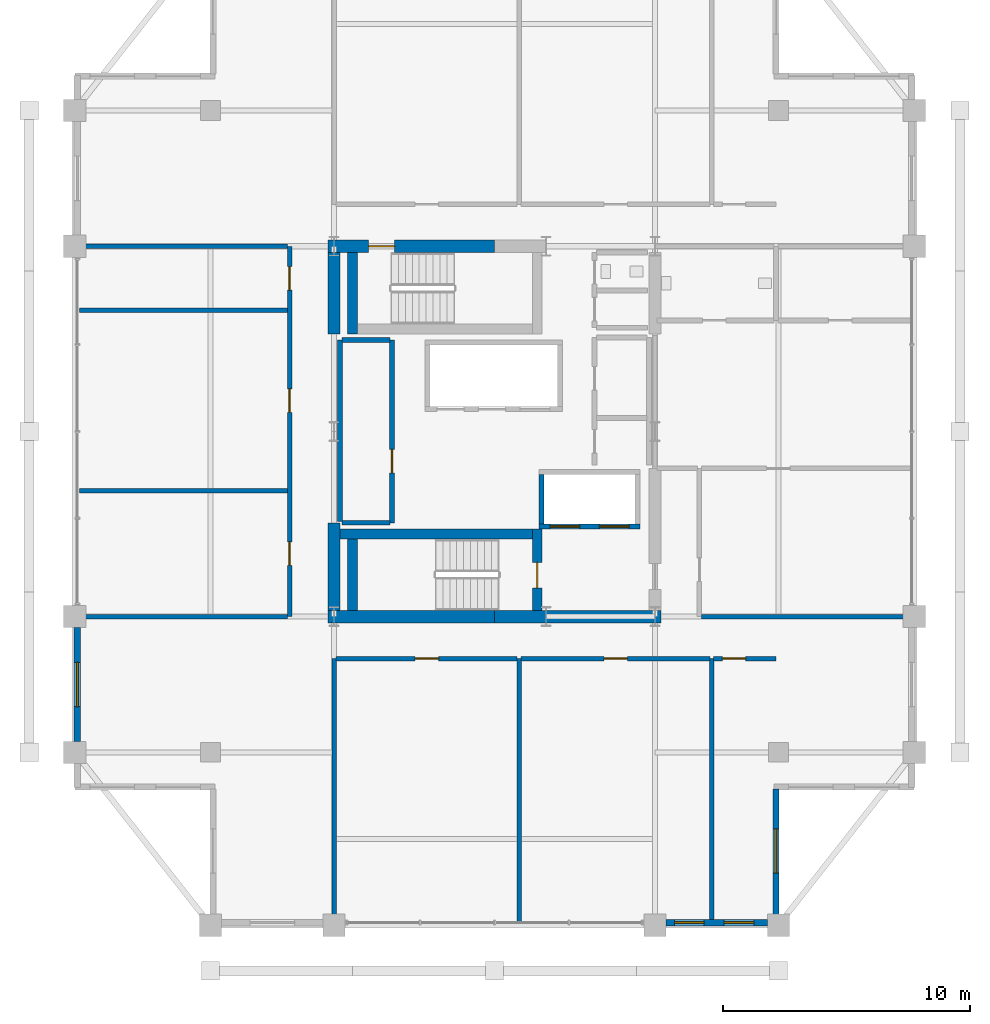
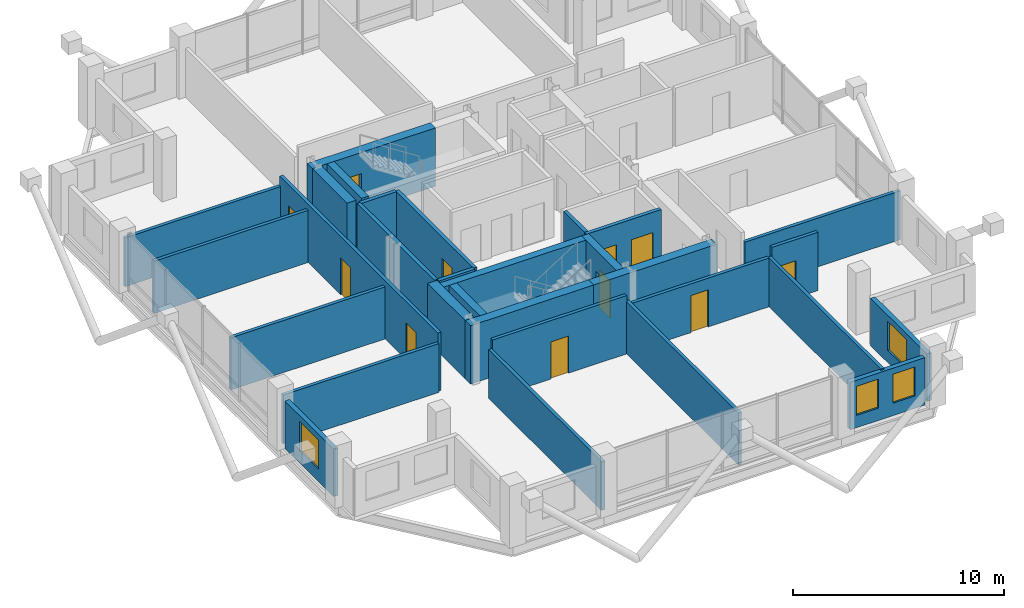
# One storey, part 18 of 22: 30 walls, 11 doors, 4 windows, 15 openings.
"""IFC4 building model written with IfcOpenShell, lengths in metres."""

from ifc_helpers import new_model, si_unit, direction, frame, frame_2d, origin, place, context, subcontext, project, spatial, rectangle, extrude, material, layer, layer_set, type_object, element, fill, save


model = new_model("IFC4")

# Units and contexts
model_context = context("Model", 3, precision=1e-05, world=origin(), true_north=direction((0.0, 1.0)))
body_context = subcontext(model_context, "Body", "Model", "MODEL_VIEW")
ifc_project = project(units=[si_unit("LENGTHUNIT", "METRE"), si_unit("AREAUNIT", "SQUARE_METRE"), si_unit("VOLUMEUNIT", "CUBIC_METRE"), si_unit("PLANEANGLEUNIT", "RADIAN"), si_unit("MASSUNIT", "GRAM", prefix="KILO")], contexts=[model_context])

# Site, building, storey
site_placement = place(None, origin())
site = spatial("IfcSite", under=ifc_project, at=site_placement, CompositionType="ELEMENT")
building_placement = place(site_placement, origin())
building = spatial("IfcBuilding", under=site, at=building_placement, Name="Barlavira Tower and Art Museum", CompositionType="ELEMENT")
storey_placement = place(building_placement, frame((0.0, 0.0, 269.10009765625)))
storey = spatial("IfcBuildingStorey", under=building, at=storey_placement, Name="L70", CompositionType="ELEMENT", Elevation=269.10009765625)

# Walls
ifc_material_1 = material(Name="Concrete C60", Category="concrete")
ifc_layer_1 = layer(ifc_material_1, 0.5, Name="Concrete C60")
ifc_layer_set_1 = layer_set([ifc_layer_1], Name="Concrete C60")
wall_type_1 = type_object("IfcWallType", Name="Core Structural Shear Wall 500 Concrete C60", PredefinedType="SHEAR", material=ifc_layer_set_1)
for number, where, z_axis, x_axis, name in (
    (1, (-6.75, -7.5, 0.0), (0.0, 0.0, 1.0), (1.0, 0.0, 0.0), "L70 Core Shear Wall CS-SW"),
    (2, (0.0, -7.5, 0.0), (0.0, 0.0, 1.0), (1.0, 0.0, 0.0), "L70 Core Shear Wall CS-SE"),
):
    element("IfcWall", number, at=place(storey_placement, frame(where, z_axis=z_axis, x_axis=x_axis)), inside=storey, type_object=wall_type_1, Name=name, PredefinedType="SHEAR", context=body_context, shape_type="SweptSolid", body=[
        extrude(rectangle(XDim=6.75, YDim=0.5, at=frame_2d((3.375, 0.0))), origin(), (0.0, 0.0, 1.0), 3.3798828125),
    ])

# Wall, opening, door
wall_1_placement = place(storey_placement, frame((-6.75, 7.5, 0.0), z_axis=(0.0, 0.0, 1.0), x_axis=(1.0, 0.0, 0.0)))
wall_1 = element("IfcWall", 3, at=wall_1_placement, inside=storey, type_object=wall_type_1, Name="L70 Core Shear Wall CS-NW", PredefinedType="SHEAR", context=body_context, shape_type="SweptSolid", body=[
    extrude(rectangle(XDim=6.75, YDim=0.5, at=frame_2d((3.375, 0.0))), origin(), (0.0, 0.0, 1.0), 3.3798828125),
])
opening_1_placement = place(wall_1_placement, frame((1.64990234375, 0.0, 0.0)))
opening_1 = element("IfcOpeningElement", 4, at=opening_1_placement, cuts=wall_1, Name="Opening FD-90", PredefinedType="OPENING", context=body_context, shape_type="SweptSolid", body=[
    extrude(rectangle(XDim=1.050048828125, YDim=2.14990234375, at=frame_2d((0.52490234375, 1.074951171875))), frame((0.0, 0.260009765625, 0.0), z_axis=(0.0, -1.0, 0.0), x_axis=(1.0, 0.0, 0.0)), (0.0, 0.0, 1.0), 0.52001953125),
])
ifc_material_2 = material(Name="Brushed stainless steel", Category="steel")
door_type_1 = type_object("IfcDoorType", Name="Stair and Refuge Fire Door 1050x2150 FD90S", OperationType="NOTDEFINED", PredefinedType="DOOR", material=ifc_material_2)
door_1_placement = place(opening_1_placement, origin())
door_1 = element("IfcDoor", 5, at=door_1_placement, inside=storey, type_object=door_type_1, Name="L70 Stair ST-T2 Fire Door", OperationType="SINGLE_SWING_LEFT", OverallHeight=2.14990234375, OverallWidth=1.050048828125, PredefinedType="DOOR", context=body_context, shape_type="SweptSolid", body=[
    extrude(rectangle(XDim=1.050048828125, YDim=2.14990234375, at=frame_2d((0.52490234375, 1.074951171875))), frame((0.0, 0.02490234375, 0.0), z_axis=(0.0, -1.0, 0.0), x_axis=(1.0, 0.0, 0.0)), (0.0, 0.0, 1.0), 0.050048828125),
])
fill(opening_1, door_1)

# Walls
wall_2_placement = place(storey_placement, frame((-6.5, -7.25, 0.0), z_axis=(0.0, 0.0, 1.0), x_axis=(0.0, 1.0, 0.0)))
element("IfcWall", 6, at=wall_2_placement, inside=storey, type_object=wall_type_1, Name="L70 Core Shear Wall CS-W1", PredefinedType="SHEAR", context=body_context, shape_type="SweptSolid", body=[
    extrude(rectangle(XDim=3.550048828125, YDim=0.5, at=frame_2d((1.77490234375, 0.0))), origin(), (0.0, 0.0, 1.0), 3.3798828125),
])
wall_3_placement = place(storey_placement, frame((-6.5, 3.949951171875, 0.0), z_axis=(0.0, 0.0, 1.0), x_axis=(0.0, 1.0, 0.0)))
element("IfcWall", 7, at=wall_3_placement, inside=storey, type_object=wall_type_1, Name="L70 Core Shear Wall CS-W2", PredefinedType="SHEAR", context=body_context, shape_type="SweptSolid", body=[
    extrude(rectangle(XDim=3.300048828125, YDim=0.5, at=frame_2d((1.64990234375, 0.0))), origin(), (0.0, 0.0, 1.0), 3.3798828125),
])

# Wall, openings, doors
ifc_material_3 = material(Name="Autoclaved aerated concrete masonry", Category="masonry")
ifc_layer_2 = layer(ifc_material_3, 0.199951171875, Name="Autoclaved aerated concrete masonry")
ifc_layer_set_2 = layer_set([ifc_layer_2], Name="Autoclaved aerated concrete masonry")
wall_type_2 = type_object("IfcWallType", Name="Fire Compartment and Shaft Wall 200", PredefinedType="SOLIDWALL", material=ifc_layer_set_2)
wall_4_placement = place(storey_placement, frame((1.800048828125, -3.85009765625, 0.0), z_axis=(0.0, 0.0, 1.0), x_axis=(1.0, 0.0, 0.0)))
wall_4 = element("IfcWall", 8, at=wall_4_placement, inside=storey, type_object=wall_type_2, Name="L70 Firefighting Lift Front Shaft Wall", PredefinedType="SOLIDWALL", context=body_context, shape_type="SweptSolid", body=[
    extrude(rectangle(XDim=4.099853515625, YDim=0.199951171875, at=frame_2d((2.0498046875, 0.0))), origin(), (0.0, 0.0, 1.0), 3.3798828125),
])
opening_2_placement = place(wall_4_placement, frame((0.449951171875, 0.0, 0.0)))
opening_2 = element("IfcOpeningElement", 9, at=opening_2_placement, cuts=wall_4, Name="Opening LD-F", PredefinedType="OPENING", context=body_context, shape_type="SweptSolid", body=[
    extrude(rectangle(XDim=1.199951171875, YDim=2.199951171875, at=frame_2d((0.60009765625, 1.10009765625))), frame((0.0, 0.10986328125, 0.0), z_axis=(0.0, -1.0, 0.0), x_axis=(1.0, 0.0, 0.0)), (0.0, 0.0, 1.0), 0.219970703125),
])
opening_3_placement = place(wall_4_placement, frame((2.449951171875, 0.0, 0.0)))
opening_3 = element("IfcOpeningElement", 10, at=opening_3_placement, cuts=wall_4, Name="Opening LD-F", PredefinedType="OPENING", context=body_context, shape_type="SweptSolid", body=[
    extrude(rectangle(XDim=1.199951171875, YDim=2.199951171875, at=frame_2d((0.60009765625, 1.10009765625))), frame((0.0, 0.10986328125, 0.0), z_axis=(0.0, -1.0, 0.0), x_axis=(1.0, 0.0, 0.0)), (0.0, 0.0, 1.0), 0.219970703125),
])
door_type_2 = type_object("IfcDoorType", Name="Firefighting and Service Lift Sliding Door 1200x2200 FD120", OperationType="NOTDEFINED", PredefinedType="DOOR", material=ifc_material_2)
door_2_placement = place(opening_2_placement, origin())
door_2 = element("IfcDoor", 11, at=door_2_placement, inside=storey, type_object=door_type_2, Name="L70 Firefighting Lift FF1 Sliding Door", OperationType="DOUBLE_DOOR_SLIDING", OverallHeight=2.199951171875, OverallWidth=1.199951171875, PredefinedType="DOOR", context=body_context, shape_type="SweptSolid", body=[
    extrude(rectangle(XDim=1.199951171875, YDim=2.199951171875, at=frame_2d((0.60009765625, 1.10009765625))), frame((0.0, 0.02490234375, 0.0), z_axis=(0.0, -1.0, 0.0), x_axis=(1.0, 0.0, 0.0)), (0.0, 0.0, 1.0), 0.050048828125),
])
fill(opening_2, door_2)
door_3_placement = place(opening_3_placement, origin())
door_3 = element("IfcDoor", 12, at=door_3_placement, inside=storey, type_object=door_type_2, Name="L70 Firefighting Lift FF2 Sliding Door", OperationType="DOUBLE_DOOR_SLIDING", OverallHeight=2.199951171875, OverallWidth=1.199951171875, PredefinedType="DOOR", context=body_context, shape_type="SweptSolid", body=[
    extrude(rectangle(XDim=1.199951171875, YDim=2.199951171875, at=frame_2d((0.60009765625, 1.10009765625))), frame((0.0, 0.02490234375, 0.0), z_axis=(0.0, -1.0, 0.0), x_axis=(1.0, 0.0, 0.0)), (0.0, 0.0, 1.0), 0.050048828125),
])
fill(opening_3, door_3)

# Walls
wall_5_placement = place(storey_placement, frame((1.89990234375, -3.75, 0.0), z_axis=(0.0, 0.0, 1.0), x_axis=(0.0, 1.0, 0.0)))
element("IfcWall", 13, at=wall_5_placement, inside=storey, type_object=wall_type_2, Name="L70 Firefighting Lift West Shaft Wall", PredefinedType="SOLIDWALL", context=body_context, shape_type="SweptSolid", body=[
    extrude(rectangle(XDim=2.0, YDim=0.199951171875, at=frame_2d((1.0, 0.0))), origin(), (0.0, 0.0, 1.0), 3.3798828125),
])
wall_6_placement = place(storey_placement, frame((-6.25, -3.639892578125, 0.0), z_axis=(0.0, 0.0, 1.0), x_axis=(0.0, 1.0, 0.0)))
element("IfcWall", 14, at=wall_6_placement, inside=storey, type_object=wall_type_2, Name="L70 Partition Wall 4", PredefinedType="SOLIDWALL", context=body_context, shape_type="SweptSolid", body=[
    extrude(rectangle(XDim=7.33984375, YDim=0.199951171875, at=frame_2d((3.669921875, 0.0))), origin(), (0.0, 0.0, 1.0), 3.3798828125),
])

# Wall, opening, door
wall_7_placement = place(storey_placement, frame((-4.14990234375, -3.699951171875, 0.0), z_axis=(0.0, 0.0, 1.0), x_axis=(0.0, 1.0, 0.0)))
wall_7 = element("IfcWall", 15, at=wall_7_placement, inside=storey, type_object=wall_type_2, Name="L70 Partition Wall 5", PredefinedType="SOLIDWALL", context=body_context, shape_type="SweptSolid", body=[
    extrude(rectangle(XDim=7.39990234375, YDim=0.199951171875, at=frame_2d((3.699951171875, 0.0))), origin(), (0.0, 0.0, 1.0), 3.3798828125),
])
opening_4_placement = place(wall_7_placement, frame((2.02490234375, 0.0, 0.0)))
opening_4 = element("IfcOpeningElement", 16, at=opening_4_placement, cuts=wall_7, Name="Opening FD-60", PredefinedType="OPENING", context=body_context, shape_type="SweptSolid", body=[
    extrude(rectangle(XDim=0.949951171875, YDim=2.14990234375, at=frame_2d((0.47509765625, 1.074951171875))), frame((0.0, 0.10986328125, 0.0), z_axis=(0.0, -1.0, 0.0), x_axis=(1.0, 0.0, 0.0)), (0.0, 0.0, 1.0), 0.219970703125),
])
door_type_3 = type_object("IfcDoorType", Name="Apartment Entrance and Riser Fire Door 950x2150 FD60S", OperationType="NOTDEFINED", PredefinedType="DOOR", material=ifc_material_2)
door_4_placement = place(opening_4_placement, origin())
door_4 = element("IfcDoor", 17, at=door_4_placement, inside=storey, type_object=door_type_3, Name="Reclaimed Core Tenant Storage Vault Door", OperationType="SINGLE_SWING_RIGHT", OverallHeight=2.14990234375, OverallWidth=0.949951171875, PredefinedType="DOOR", context=body_context, shape_type="SweptSolid", body=[
    extrude(rectangle(XDim=0.949951171875, YDim=2.14990234375, at=frame_2d((0.47509765625, 1.074951171875))), frame((0.0, 0.02490234375, 0.0), z_axis=(0.0, -1.0, 0.0), x_axis=(1.0, 0.0, 0.0)), (0.0, 0.0, 1.0), 0.050048828125),
])
fill(opening_4, door_4)

# Walls
for number, where, z_axis, x_axis, name in (
    (18, (-6.169921875, -3.699951171875, 0.0), (0.0, 0.0, 1.0), (1.0, 0.0, 0.0), "L70 Partition Wall 21"),
    (19, (-6.169921875, 3.699951171875, 0.0), (0.0, 0.0, 1.0), (1.0, 0.0, 0.0), "L70 Partition Wall 26"),
):
    element("IfcWall", number, at=place(storey_placement, frame(where, z_axis=z_axis, x_axis=x_axis)), inside=storey, type_object=wall_type_2, Name=name, PredefinedType="SOLIDWALL", context=body_context, shape_type="SweptSolid", body=[
        extrude(rectangle(XDim=1.93994140625, YDim=0.199951171875, at=frame_2d((0.969970703125, 0.0))), origin(), (0.0, 0.0, 1.0), 3.3798828125),
    ])

# Wall, openings, doors
ifc_material_4 = material(Name="Gypsum acoustic stud partition", Category="gypsum")
ifc_layer_3 = layer(ifc_material_4, 0.179931640625, Name="Gypsum acoustic stud partition")
ifc_layer_set_3 = layer_set([ifc_layer_3], Name="Gypsum acoustic stud partition")
wall_type_3 = type_object("IfcWallType", Name="Inter-Tenancy Party Partition Wall 180", PredefinedType="PARTITIONING", material=ifc_layer_set_3)
wall_8_placement = place(storey_placement, frame((-8.300048828125, -7.5, 0.0), z_axis=(0.0, 0.0, 1.0), x_axis=(0.0, 1.0, 0.0)))
wall_8 = element("IfcWall", 20, at=wall_8_placement, inside=storey, type_object=wall_type_3, Name="L70 Partition Wall 1", PredefinedType="PARTITIONING", context=body_context, shape_type="SweptSolid", body=[
    extrude(rectangle(XDim=15.0, YDim=0.179931640625, at=frame_2d((7.5, 0.0))), origin(), (0.0, 0.0, 1.0), 3.3798828125),
])
opening_5_placement = place(wall_8_placement, frame((2.074951171875, 0.0, 0.0)))
opening_5 = element("IfcOpeningElement", 21, at=opening_5_placement, cuts=wall_8, Name="Opening FD-60", PredefinedType="OPENING", context=body_context, shape_type="SweptSolid", body=[
    extrude(rectangle(XDim=0.949951171875, YDim=2.14990234375, at=frame_2d((0.47509765625, 1.074951171875))), frame((0.0, 0.10009765625, 0.0), z_axis=(0.0, -1.0, 0.0), x_axis=(1.0, 0.0, 0.0)), (0.0, 0.0, 1.0), 0.199951171875),
])
opening_6_placement = place(wall_8_placement, frame((8.27490234375, 0.0, 0.0)))
opening_6 = element("IfcOpeningElement", 22, at=opening_6_placement, cuts=wall_8, Name="Opening FD-60", PredefinedType="OPENING", context=body_context, shape_type="SweptSolid", body=[
    extrude(rectangle(XDim=0.949951171875, YDim=2.14990234375, at=frame_2d((0.47509765625, 1.074951171875))), frame((0.0, 0.10009765625, 0.0), z_axis=(0.0, -1.0, 0.0), x_axis=(1.0, 0.0, 0.0)), (0.0, 0.0, 1.0), 0.199951171875),
])
opening_7_placement = place(wall_8_placement, frame((13.22509765625, 0.0, 0.0)))
opening_7 = element("IfcOpeningElement", 23, at=opening_7_placement, cuts=wall_8, Name="Opening FD-60", PredefinedType="OPENING", context=body_context, shape_type="SweptSolid", body=[
    extrude(rectangle(XDim=0.949951171875, YDim=2.14990234375, at=frame_2d((0.47509765625, 1.074951171875))), frame((0.0, 0.10009765625, 0.0), z_axis=(0.0, -1.0, 0.0), x_axis=(1.0, 0.0, 0.0)), (0.0, 0.0, 1.0), 0.199951171875),
])
door_5_placement = place(opening_5_placement, origin())
door_5 = element("IfcDoor", 24, at=door_5_placement, inside=storey, type_object=door_type_3, Name="Resident Sky Coworking Studio Door", OperationType="SINGLE_SWING_LEFT", OverallHeight=2.14990234375, OverallWidth=0.949951171875, PredefinedType="DOOR", context=body_context, shape_type="SweptSolid", body=[
    extrude(rectangle(XDim=0.949951171875, YDim=2.14990234375, at=frame_2d((0.47509765625, 1.074951171875))), frame((0.0, 0.02490234375, 0.0), z_axis=(0.0, -1.0, 0.0), x_axis=(1.0, 0.0, 0.0)), (0.0, 0.0, 1.0), 0.050048828125),
])
fill(opening_5, door_5)
door_6_placement = place(opening_6_placement, origin())
door_6 = element("IfcDoor", 25, at=door_6_placement, inside=storey, type_object=door_type_3, Name="Atlantic Horizon Boardroom Door", OperationType="SINGLE_SWING_RIGHT", OverallHeight=2.14990234375, OverallWidth=0.949951171875, PredefinedType="DOOR", context=body_context, shape_type="SweptSolid", body=[
    extrude(rectangle(XDim=0.949951171875, YDim=2.14990234375, at=frame_2d((0.47509765625, 1.074951171875))), frame((0.0, 0.02490234375, 0.0), z_axis=(0.0, -1.0, 0.0), x_axis=(1.0, 0.0, 0.0)), (0.0, 0.0, 1.0), 0.050048828125),
])
fill(opening_6, door_6)
door_7_placement = place(opening_7_placement, origin())
door_7 = element("IfcDoor", 26, at=door_7_placement, inside=storey, type_object=door_type_3, Name="Shared Coworking Espresso Pantry Door", OperationType="SINGLE_SWING_LEFT", OverallHeight=2.14990234375, OverallWidth=0.949951171875, PredefinedType="DOOR", context=body_context, shape_type="SweptSolid", body=[
    extrude(rectangle(XDim=0.949951171875, YDim=2.14990234375, at=frame_2d((0.47509765625, 1.074951171875))), frame((0.0, 0.02490234375, 0.0), z_axis=(0.0, -1.0, 0.0), x_axis=(1.0, 0.0, 0.0)), (0.0, 0.0, 1.0), 0.050048828125),
])
fill(opening_7, door_7)

# Walls
wall_9_placement = place(storey_placement, frame((-6.5, -19.89990234375, 0.0), z_axis=(0.0, 0.0, 1.0), x_axis=(0.0, 1.0, 0.0)))
element("IfcWall", 27, at=wall_9_placement, inside=storey, type_object=wall_type_3, Name="L70 Partition Wall 2", PredefinedType="PARTITIONING", context=body_context, shape_type="SweptSolid", body=[
    extrude(rectangle(XDim=10.699951171875, YDim=0.179931640625, at=frame_2d((5.35009765625, 0.0))), origin(), (0.0, 0.0, 1.0), 2.825927734375),
])
wall_10_placement = place(storey_placement, frame((1.0, -19.89990234375, 0.0), z_axis=(0.0, 0.0, 1.0), x_axis=(0.0, 1.0, 0.0)))
element("IfcWall", 28, at=wall_10_placement, inside=storey, type_object=wall_type_3, Name="L70 Partition Wall 6", PredefinedType="PARTITIONING", context=body_context, shape_type="SweptSolid", body=[
    extrude(rectangle(XDim=10.699951171875, YDim=0.179931640625, at=frame_2d((5.35009765625, 0.0))), origin(), (0.0, 0.0, 1.0), 3.017822265625),
])
wall_11_placement = place(storey_placement, frame((8.800048828125, -19.89990234375, 0.0), z_axis=(0.0, 0.0, 1.0), x_axis=(0.0, 1.0, 0.0)))
element("IfcWall", 29, at=wall_11_placement, inside=storey, type_object=wall_type_3, Name="L70 Partition Wall 13", PredefinedType="PARTITIONING", context=body_context, shape_type="SweptSolid", body=[
    extrude(rectangle(XDim=10.699951171875, YDim=0.179931640625, at=frame_2d((5.35009765625, 0.0))), origin(), (0.0, 0.0, 1.0), 2.825927734375),
])

# Wall, opening, door
wall_12_placement = place(storey_placement, frame((-6.419921875, -9.199951171875, 0.0), z_axis=(0.0, 0.0, 1.0), x_axis=(1.0, 0.0, 0.0)))
wall_12 = element("IfcWall", 30, at=wall_12_placement, inside=storey, type_object=wall_type_3, Name="L70 Partition Wall 16", PredefinedType="PARTITIONING", context=body_context, shape_type="SweptSolid", body=[
    extrude(rectangle(XDim=7.33984375, YDim=0.179931640625, at=frame_2d((3.669921875, 0.0))), origin(), (0.0, 0.0, 1.0), 3.3798828125),
])
opening_8_placement = place(wall_12_placement, frame((3.205078125, 0.0, 0.0)))
opening_8 = element("IfcOpeningElement", 31, at=opening_8_placement, cuts=wall_12, Name="Opening FD-60", PredefinedType="OPENING", context=body_context, shape_type="SweptSolid", body=[
    extrude(rectangle(XDim=0.949951171875, YDim=2.14990234375, at=frame_2d((0.47509765625, 1.074951171875))), frame((0.0, 0.10009765625, 0.0), z_axis=(0.0, -1.0, 0.0), x_axis=(1.0, 0.0, 0.0)), (0.0, 0.0, 1.0), 0.199951171875),
])
door_8_placement = place(opening_8_placement, origin())
door_8 = element("IfcDoor", 32, at=door_8_placement, inside=storey, type_object=door_type_3, Name="Resident Rare-Book Reading Room Door", OperationType="SINGLE_SWING_LEFT", OverallHeight=2.14990234375, OverallWidth=0.949951171875, PredefinedType="DOOR", context=body_context, shape_type="SweptSolid", body=[
    extrude(rectangle(XDim=0.949951171875, YDim=2.14990234375, at=frame_2d((0.47509765625, 1.074951171875))), frame((0.0, 0.02490234375, 0.0), z_axis=(0.0, -1.0, 0.0), x_axis=(1.0, 0.0, 0.0)), (0.0, 0.0, 1.0), 0.050048828125),
])
fill(opening_8, door_8)

wall_13_placement = place(storey_placement, frame((1.080078125, -9.199951171875, 0.0), z_axis=(0.0, 0.0, 1.0), x_axis=(1.0, 0.0, 0.0)))
wall_13 = element("IfcWall", 33, at=wall_13_placement, inside=storey, type_object=wall_type_3, Name="L70 Partition Wall 17", PredefinedType="PARTITIONING", context=body_context, shape_type="SweptSolid", body=[
    extrude(rectangle(XDim=7.639892578125, YDim=0.179931640625, at=frame_2d((3.81982421875, 0.0))), origin(), (0.0, 0.0, 1.0), 2.825927734375),
])
opening_9_placement = place(wall_13_placement, frame((3.35498046875, 0.0, 0.0)))
opening_9 = element("IfcOpeningElement", 34, at=opening_9_placement, cuts=wall_13, Name="Opening FD-60", PredefinedType="OPENING", context=body_context, shape_type="SweptSolid", body=[
    extrude(rectangle(XDim=0.949951171875, YDim=2.14990234375, at=frame_2d((0.47509765625, 1.074951171875))), frame((0.0, 0.10009765625, 0.0), z_axis=(0.0, -1.0, 0.0), x_axis=(1.0, 0.0, 0.0)), (0.0, 0.0, 1.0), 0.199951171875),
])
door_9_placement = place(opening_9_placement, origin())
door_9 = element("IfcDoor", 35, at=door_9_placement, inside=storey, type_object=door_type_3, Name="Private Coastal Dining Salon Door", OperationType="SINGLE_SWING_RIGHT", OverallHeight=2.14990234375, OverallWidth=0.949951171875, PredefinedType="DOOR", context=body_context, shape_type="SweptSolid", body=[
    extrude(rectangle(XDim=0.949951171875, YDim=2.14990234375, at=frame_2d((0.47509765625, 1.074951171875))), frame((0.0, 0.02490234375, 0.0), z_axis=(0.0, -1.0, 0.0), x_axis=(1.0, 0.0, 0.0)), (0.0, 0.0, 1.0), 0.050048828125),
])
fill(opening_9, door_9)

wall_14_placement = place(storey_placement, frame((8.8798828125, -9.199951171875, 0.0), z_axis=(0.0, 0.0, 1.0), x_axis=(1.0, 0.0, 0.0)))
wall_14 = element("IfcWall", 36, at=wall_14_placement, inside=storey, type_object=wall_type_3, Name="L70 Partition Wall 18", PredefinedType="PARTITIONING", context=body_context, shape_type="SweptSolid", body=[
    extrude(rectangle(XDim=2.52001953125, YDim=0.179931640625, at=frame_2d((1.260009765625, 0.0))), origin(), (0.0, 0.0, 1.0), 3.3798828125),
])
opening_10_placement = place(wall_14_placement, frame((0.344970703125, 0.0, 0.0)))
opening_10 = element("IfcOpeningElement", 37, at=opening_10_placement, cuts=wall_14, Name="Opening FD-60", PredefinedType="OPENING", context=body_context, shape_type="SweptSolid", body=[
    extrude(rectangle(XDim=0.949951171875, YDim=2.14990234375, at=frame_2d((0.47509765625, 1.074951171875))), frame((0.0, 0.10009765625, 0.0), z_axis=(0.0, -1.0, 0.0), x_axis=(1.0, 0.0, 0.0)), (0.0, 0.0, 1.0), 0.199951171875),
])
door_10_placement = place(opening_10_placement, origin())
door_10 = element("IfcDoor", 38, at=door_10_placement, inside=storey, type_object=door_type_3, Name="Shared Catering Kitchen Door", OperationType="SINGLE_SWING_LEFT", OverallHeight=2.14990234375, OverallWidth=0.949951171875, PredefinedType="DOOR", context=body_context, shape_type="SweptSolid", body=[
    extrude(rectangle(XDim=0.949951171875, YDim=2.14990234375, at=frame_2d((0.47509765625, 1.074951171875))), frame((0.0, 0.02490234375, 0.0), z_axis=(0.0, -1.0, 0.0), x_axis=(1.0, 0.0, 0.0)), (0.0, 0.0, 1.0), 0.050048828125),
])
fill(opening_10, door_10)

# Walls
for number, where, z_axis, x_axis, name in (
    (39, (-16.89990234375, -7.5, 0.0), (0.0, 0.0, 1.0), (1.0, 0.0, 0.0), "L70 Partition Wall 19"),
    (40, (8.3798828125, -7.5, 0.0), (0.0, 0.0, 1.0), (1.0, 0.0, 0.0), "L70 Partition Wall 20"),
):
    element("IfcWall", number, at=place(storey_placement, frame(where, z_axis=z_axis, x_axis=x_axis)), inside=storey, type_object=wall_type_3, Name=name, PredefinedType="PARTITIONING", context=body_context, shape_type="SweptSolid", body=[
        extrude(rectangle(XDim=8.52001953125, YDim=0.179931640625, at=frame_2d((4.260009765625, 0.0))), origin(), (0.0, 0.0, 1.0), 2.825927734375),
    ])
for number, where, z_axis, x_axis, name in (
    (41, (-16.820068359375, -2.39990234375, 0.0), (0.0, 0.0, 1.0), (1.0, 0.0, 0.0), "L70 Partition Wall 22"),
    (42, (-16.820068359375, 4.89990234375, 0.0), (0.0, 0.0, 1.0), (1.0, 0.0, 0.0), "L70 Partition Wall 31"),
):
    element("IfcWall", number, at=place(storey_placement, frame(where, z_axis=z_axis, x_axis=x_axis)), inside=storey, type_object=wall_type_3, Name=name, PredefinedType="PARTITIONING", context=body_context, shape_type="SweptSolid", body=[
        extrude(rectangle(XDim=8.440185546875, YDim=0.179931640625, at=frame_2d((4.22021484375, 0.0))), origin(), (0.0, 0.0, 1.0), 3.017822265625),
    ])
wall_15_placement = place(storey_placement, frame((-16.89990234375, 7.5, 0.0), z_axis=(0.0, 0.0, 1.0), x_axis=(1.0, 0.0, 0.0)))
element("IfcWall", 43, at=wall_15_placement, inside=storey, type_object=wall_type_3, Name="L70 Partition Wall 34", PredefinedType="PARTITIONING", context=body_context, shape_type="SweptSolid", body=[
    extrude(rectangle(XDim=8.52001953125, YDim=0.179931640625, at=frame_2d((4.260009765625, 0.0))), origin(), (0.0, 0.0, 1.0), 2.825927734375),
])

# Wall, openings, windows
ifc_material_5 = material(Name="Precast concrete C40", Category="concrete")
ifc_layer_4 = layer(ifc_material_5, 0.25, Name="Precast concrete C40")
ifc_layer_set_4 = layer_set([ifc_layer_4], Name="Precast concrete C40")
wall_type_4 = type_object("IfcWallType", Name="Notched Corner Spandrel Wall 250 Precast Concrete C40", PredefinedType="SOLIDWALL", material=ifc_layer_set_4)
wall_16_placement = place(storey_placement, frame((6.945068359375, -19.89990234375, 0.0), z_axis=(0.0, 0.0, 1.0), x_axis=(1.0, 0.0, 0.0)))
wall_16 = element("IfcWall", 44, at=wall_16_placement, inside=storey, type_object=wall_type_4, Name="L70 Coastal Facade Pier Wall CW4-L70-S-3", PredefinedType="SOLIDWALL", context=body_context, shape_type="SweptSolid", body=[
    extrude(rectangle(XDim=4.10986328125, YDim=0.25, at=frame_2d((2.054931640625, 0.0))), origin(), (0.0, 0.0, 1.0), 2.747802734375),
])
opening_11_placement = place(wall_16_placement, frame((0.35009765625, 0.0, 0.719970703125)))
opening_11 = element("IfcOpeningElement", 45, at=opening_11_placement, cuts=wall_16, Name="Opening WN-05", PredefinedType="OPENING", context=body_context, shape_type="SweptSolid", body=[
    extrude(rectangle(XDim=1.199951171875, YDim=1.679931640625, at=frame_2d((0.60009765625, 0.83984375))), frame((0.0, 0.135009765625, 0.0), z_axis=(0.0, -1.0, 0.0), x_axis=(1.0, 0.0, 0.0)), (0.0, 0.0, 1.0), 0.27001953125),
])
opening_12_placement = place(wall_16_placement, frame((2.360107421875, 0.0, 0.719970703125)))
opening_12 = element("IfcOpeningElement", 46, at=opening_12_placement, cuts=wall_16, Name="Opening WN-05", PredefinedType="OPENING", context=body_context, shape_type="SweptSolid", body=[
    extrude(rectangle(XDim=1.199951171875, YDim=1.679931640625, at=frame_2d((0.60009765625, 0.83984375))), frame((0.0, 0.135009765625, 0.0), z_axis=(0.0, -1.0, 0.0), x_axis=(1.0, 0.0, 0.0)), (0.0, 0.0, 1.0), 0.27001953125),
])
ifc_material_6 = material(Name="Low-iron coastal laminated glass", Category="glass")
window_type_1 = type_object("IfcWindowType", Name="Recessed Flank Pier Punch Window 1200x1680", PartitioningType="SINGLE_PANEL", PredefinedType="WINDOW", material=ifc_material_6)
window_1_placement = place(opening_11_placement, origin())
window_1 = element("IfcWindow", 47, at=window_1_placement, inside=storey, type_object=window_type_1, Name="L70 Punched Facade Window EWP-CW4-L70-S-3-1", OverallHeight=1.679931640625, OverallWidth=1.199951171875, PartitioningType="SINGLE_PANEL", PredefinedType="WINDOW", context=body_context, shape_type="SweptSolid", body=[
    extrude(rectangle(XDim=1.199951171875, YDim=1.679931640625, at=frame_2d((0.60009765625, 0.83984375))), frame((0.0, 0.030029296875, 0.0), z_axis=(0.0, -1.0, 0.0), x_axis=(1.0, 0.0, 0.0)), (0.0, 0.0, 1.0), 0.06005859375),
])
fill(opening_11, window_1)
window_2_placement = place(opening_12_placement, origin())
window_2 = element("IfcWindow", 48, at=window_2_placement, inside=storey, type_object=window_type_1, Name="L70 Punched Facade Window EWP-CW4-L70-S-3-2", OverallHeight=1.679931640625, OverallWidth=1.199951171875, PartitioningType="SINGLE_PANEL", PredefinedType="WINDOW", context=body_context, shape_type="SweptSolid", body=[
    extrude(rectangle(XDim=1.199951171875, YDim=1.679931640625, at=frame_2d((0.60009765625, 0.83984375))), frame((0.0, 0.030029296875, 0.0), z_axis=(0.0, -1.0, 0.0), x_axis=(1.0, 0.0, 0.0)), (0.0, 0.0, 1.0), 0.06005859375),
])
fill(opening_12, window_2)

# Wall, opening, window
wall_17_placement = place(storey_placement, frame((-16.89990234375, -7.945068359375, 0.0), z_axis=(0.0, 0.0, 1.0), x_axis=(0.0, -1.0, 0.0)))
wall_17 = element("IfcWall", 49, at=wall_17_placement, inside=storey, type_object=wall_type_4, Name="L70 Coastal Facade Pier Wall CW4-L70-W-4", PredefinedType="SOLIDWALL", context=body_context, shape_type="SweptSolid", body=[
    extrude(rectangle(XDim=4.60986328125, YDim=0.25, at=frame_2d((2.304931640625, 0.0))), origin(), (0.0, 0.0, 1.0), 2.747802734375),
])
opening_13_placement = place(wall_17_placement, frame((1.405029296875, 0.0, 0.719970703125)))
opening_13 = element("IfcOpeningElement", 50, at=opening_13_placement, cuts=wall_17, Name="Opening WN-01", PredefinedType="OPENING", context=body_context, shape_type="SweptSolid", body=[
    extrude(rectangle(XDim=1.800048828125, YDim=1.679931640625, at=frame_2d((0.89990234375, 0.83984375))), frame((0.0, 0.135009765625, 0.0), z_axis=(0.0, -1.0, 0.0), x_axis=(1.0, 0.0, 0.0)), (0.0, 0.0, 1.0), 0.27001953125),
])
window_type_2 = type_object("IfcWindowType", Name="Recessed Notch Corner Punch Window 1800x1680", PartitioningType="SINGLE_PANEL", PredefinedType="WINDOW", material=ifc_material_6)
window_3_placement = place(opening_13_placement, origin())
window_3 = element("IfcWindow", 51, at=window_3_placement, inside=storey, type_object=window_type_2, Name="L70 Punched Facade Window EWP-CW4-L70-W-4-1", OverallHeight=1.679931640625, OverallWidth=1.800048828125, PartitioningType="SINGLE_PANEL", PredefinedType="WINDOW", context=body_context, shape_type="SweptSolid", body=[
    extrude(rectangle(XDim=1.800048828125, YDim=1.679931640625, at=frame_2d((0.89990234375, 0.83984375))), frame((0.0, 0.030029296875, 0.0), z_axis=(0.0, -1.0, 0.0), x_axis=(1.0, 0.0, 0.0)), (0.0, 0.0, 1.0), 0.06005859375),
])
fill(opening_13, window_3)

wall_18_placement = place(storey_placement, frame((11.39990234375, -19.820068359375, 0.0), z_axis=(0.0, 0.0, 1.0), x_axis=(0.0, 1.0, 0.0)))
wall_18 = element("IfcWall", 52, at=wall_18_placement, inside=storey, type_object=wall_type_4, Name="L70 Notch Corner Wall SE1", PredefinedType="SOLIDWALL", context=body_context, shape_type="SweptSolid", body=[
    extrude(rectangle(XDim=5.340087890625, YDim=0.25, at=frame_2d((2.669921875, 0.0))), origin(), (0.0, 0.0, 1.0), 2.747802734375),
])
opening_14_placement = place(wall_18_placement, frame((1.925048828125, 0.0, 0.719970703125)))
opening_14 = element("IfcOpeningElement", 53, at=opening_14_placement, cuts=wall_18, Name="Opening WN-01", PredefinedType="OPENING", context=body_context, shape_type="SweptSolid", body=[
    extrude(rectangle(XDim=1.800048828125, YDim=1.679931640625, at=frame_2d((0.89990234375, 0.83984375))), frame((0.0, 0.135009765625, 0.0), z_axis=(0.0, -1.0, 0.0), x_axis=(1.0, 0.0, 0.0)), (0.0, 0.0, 1.0), 0.27001953125),
])
window_4_placement = place(opening_14_placement, origin())
window_4 = element("IfcWindow", 54, at=window_4_placement, inside=storey, type_object=window_type_2, Name="L70 Punched Facade Window EW-NTC-L70-SE1-1", OverallHeight=1.679931640625, OverallWidth=1.800048828125, PartitioningType="SINGLE_PANEL", PredefinedType="WINDOW", context=body_context, shape_type="SweptSolid", body=[
    extrude(rectangle(XDim=1.800048828125, YDim=1.679931640625, at=frame_2d((0.89990234375, 0.83984375))), frame((0.0, 0.030029296875, 0.0), z_axis=(0.0, -1.0, 0.0), x_axis=(1.0, 0.0, 0.0)), (0.0, 0.0, 1.0), 0.06005859375),
])
fill(opening_14, window_4)

# Walls
ifc_material_7 = material(Name="Concrete C55", Category="concrete")
ifc_layer_5 = layer(ifc_material_7, 0.39990234375, Name="Concrete C55")
ifc_layer_set_5 = layer_set([ifc_layer_5], Name="Concrete C55")
wall_type_5 = type_object("IfcWallType", Name="Upper Core Shear Wall 400 Concrete C55", PredefinedType="SHEAR", material=ifc_layer_set_5)
wall_19_placement = place(storey_placement, frame((-5.75, -7.25, 0.0), z_axis=(0.0, 0.0, 1.0), x_axis=(0.0, 1.0, 0.0)))
element("IfcWall", 55, at=wall_19_placement, inside=storey, type_object=wall_type_5, Name="L70 ST-T1 West Half-Landing Wall", PredefinedType="SHEAR", context=body_context, shape_type="SweptSolid", body=[
    extrude(rectangle(XDim=2.89990234375, YDim=0.39990234375, at=frame_2d((1.449951171875, 0.0))), origin(), (0.0, 0.0, 1.0), 3.3798828125),
])
wall_20_placement = place(storey_placement, frame((-6.25, -4.14990234375, 0.0), z_axis=(0.0, 0.0, 1.0), x_axis=(1.0, 0.0, 0.0)))
element("IfcWall", 56, at=wall_20_placement, inside=storey, type_object=wall_type_5, Name="L70 ST-T1 North Shaft Wall", PredefinedType="SHEAR", context=body_context, shape_type="SweptSolid", body=[
    extrude(rectangle(XDim=7.780029296875, YDim=0.39990234375, at=frame_2d((3.89013671875, 0.0))), origin(), (0.0, 0.0, 1.0), 3.3798828125),
])

# Wall, opening, door
wall_21_placement = place(storey_placement, frame((1.72998046875, -7.25, 0.0), z_axis=(0.0, 0.0, 1.0), x_axis=(0.0, 1.0, 0.0)))
wall_21 = element("IfcWall", 57, at=wall_21_placement, inside=storey, type_object=wall_type_5, Name="L70 ST-T1 East Landing Wall", PredefinedType="SHEAR", context=body_context, shape_type="SweptSolid", body=[
    extrude(rectangle(XDim=3.300048828125, YDim=0.39990234375, at=frame_2d((1.64990234375, 0.0))), origin(), (0.0, 0.0, 1.0), 3.3798828125),
])
opening_15_placement = place(wall_21_placement, frame((0.89990234375, 0.0, 0.0)))
opening_15 = element("IfcOpeningElement", 58, at=opening_15_placement, cuts=wall_21, Name="Opening FD-90", PredefinedType="OPENING", context=body_context, shape_type="SweptSolid", body=[
    extrude(rectangle(XDim=1.050048828125, YDim=2.14990234375, at=frame_2d((0.52490234375, 1.074951171875))), frame((0.0, 0.2099609375, 0.0), z_axis=(0.0, -1.0, 0.0), x_axis=(1.0, 0.0, 0.0)), (0.0, 0.0, 1.0), 0.419921875),
])
door_11_placement = place(opening_15_placement, origin())
door_11 = element("IfcDoor", 59, at=door_11_placement, inside=storey, type_object=door_type_1, Name="L70 Stair ST-T1 Fire Door", OperationType="SINGLE_SWING_RIGHT", OverallHeight=2.14990234375, OverallWidth=1.050048828125, PredefinedType="DOOR", context=body_context, shape_type="SweptSolid", body=[
    extrude(rectangle(XDim=1.050048828125, YDim=2.14990234375, at=frame_2d((0.52490234375, 1.074951171875))), frame((0.0, 0.02490234375, 0.0), z_axis=(0.0, -1.0, 0.0), x_axis=(1.0, 0.0, 0.0)), (0.0, 0.0, 1.0), 0.050048828125),
])
fill(opening_15, door_11)

# Wall
wall_22_placement = place(storey_placement, frame((-5.75, 3.949951171875, 0.0), z_axis=(0.0, 0.0, 1.0), x_axis=(0.0, 1.0, 0.0)))
element("IfcWall", 60, at=wall_22_placement, inside=storey, type_object=wall_type_5, Name="L70 ST-T2 West Shaft Wall", PredefinedType="SHEAR", context=body_context, shape_type="SweptSolid", body=[
    extrude(rectangle(XDim=3.300048828125, YDim=0.39990234375, at=frame_2d((1.64990234375, 0.0))), origin(), (0.0, 0.0, 1.0), 3.3798828125),
])

save(model, "model.ifc")
